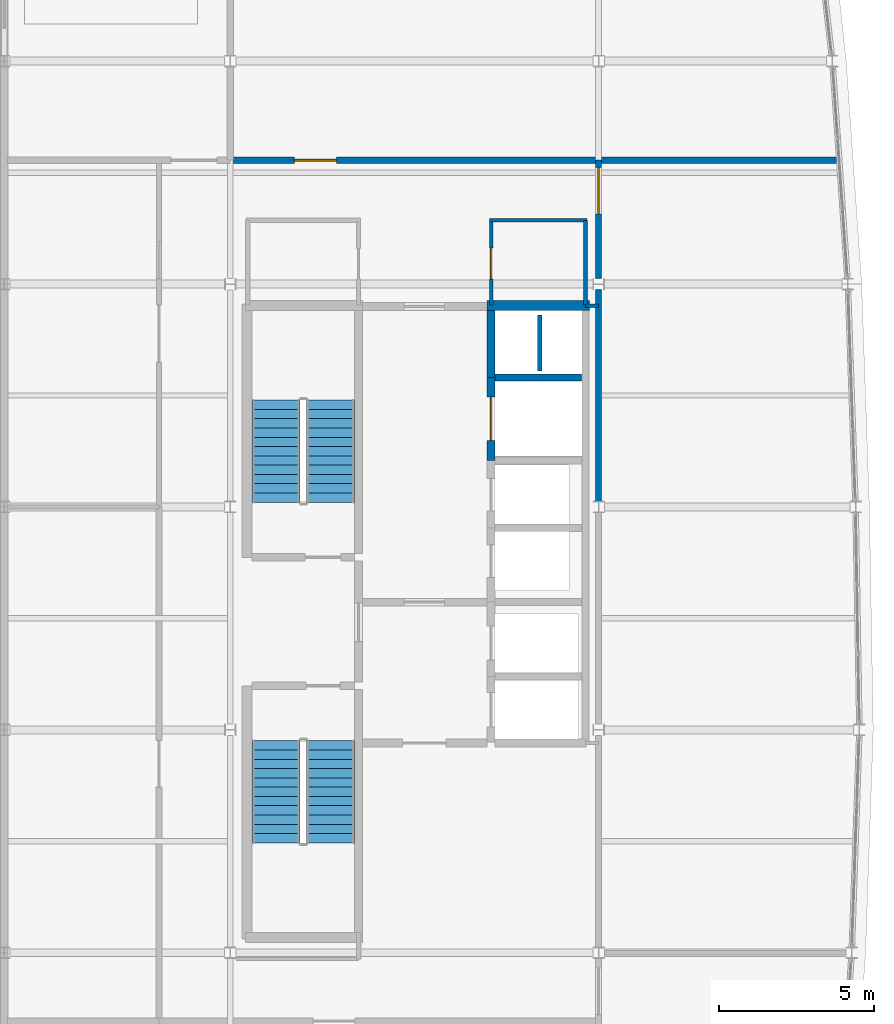
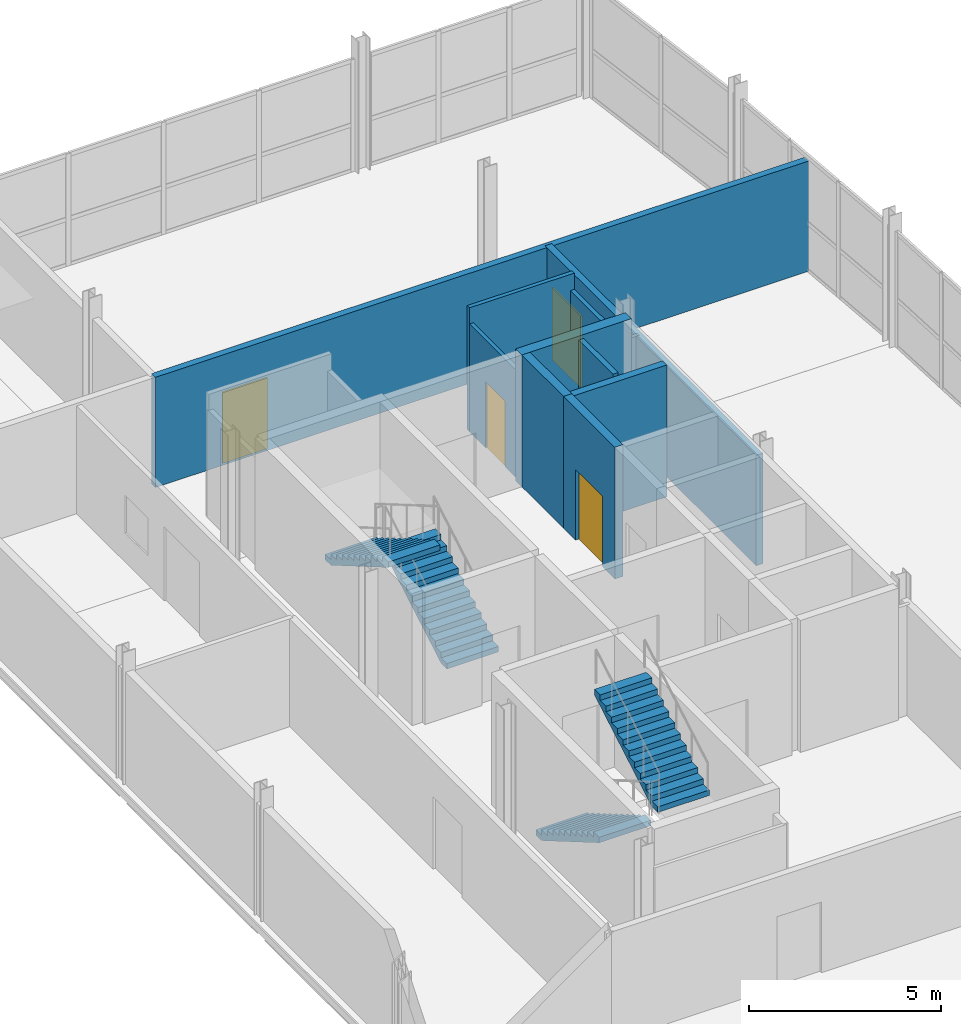
# One storey, part 17 of 20: 12 walls, 4 doors, 4 stair flights, 4 openings, 2 elements without a shape of their own.
"""IFC4 building model written with IfcOpenShell, lengths in metres."""

from ifc_helpers import new_model, si_unit, direction, frame, frame_2d, origin, place, context, subcontext, project, spatial, polyline, rectangle, outline, extrude, material, layer, layer_set, type_object, element, fill, aggregate, save


model = new_model("IFC4")

# Units and contexts
model_context = context("Model", 3, precision=1e-05, world=origin(), true_north=direction((0.0, 1.0)))
body_context = subcontext(model_context, "Body", "Model", "MODEL_VIEW")
ifc_project = project(units=[si_unit("LENGTHUNIT", "METRE"), si_unit("AREAUNIT", "SQUARE_METRE"), si_unit("VOLUMEUNIT", "CUBIC_METRE"), si_unit("PLANEANGLEUNIT", "RADIAN"), si_unit("MASSUNIT", "GRAM", prefix="KILO")], contexts=[model_context])

# Site, building, storey
site_placement = place(None, origin())
site = spatial("IfcSite", under=ifc_project, at=site_placement, CompositionType="ELEMENT")
building_placement = place(site_placement, origin())
building = spatial("IfcBuilding", under=site, at=building_placement, Name="Quillay Park Conservatory", CompositionType="ELEMENT")
storey_placement = place(building_placement, frame((0.0, 0.0, 30.89990234375)))
storey = spatial("IfcBuildingStorey", under=building, at=storey_placement, Name="L07", CompositionType="ELEMENT", Elevation=30.89990234375)

# Wall
ifc_material_1 = material(Name="Steel-Stud Acoustic Gypsum Board Partition", Category="steel")
ifc_layer_1 = layer(ifc_material_1, 0.110107421875)
ifc_layer_set_1 = layer_set([ifc_layer_1], Name="ACOUSTIC GYPSUM PARTITION 110 (Steel-Stud Acoustic Gypsum Board Partition)")
wall_type_1 = type_object("IfcWallType", Name="ACOUSTIC GYPSUM PARTITION 110", PredefinedType="PARTITIONING", material=ifc_layer_set_1)
wall_1_placement = place(storey_placement, frame((19.75, 98.89990234375, 0.0), z_axis=(0.0, 0.0, 1.0), x_axis=(-1.0, 0.0, 0.0)))
element("IfcWall", 1, at=wall_1_placement, inside=storey, type_object=wall_type_1, Name="L07 Core North-East Closure", PredefinedType="PARTITIONING", context=body_context, shape_type="SweptSolid", body=[
    extrude(rectangle(XDim=0.429931640625, YDim=0.110107421875, at=frame_2d((0.21484375, 0.0))), origin(), (0.0, 0.0, 1.0), 3.51220703125),
])

# Wall, opening, door
ifc_material_2 = material(Name="Steel-Stud Acoustic Gypsum Board Partition", Category="steel")
ifc_layer_2 = layer(ifc_material_2, 0.114990234375)
ifc_layer_set_2 = layer_set([ifc_layer_2], Name="ACOUSTIC GYPSUM PARTITION 115 (Steel-Stud Acoustic Gypsum Board Partition)")
wall_type_2 = type_object("IfcWallType", Name="ACOUSTIC GYPSUM PARTITION 115", PredefinedType="PARTITIONING", material=ifc_layer_set_2)
wall_2_placement = place(storey_placement, frame((16.280029296875, 98.919921875, 0.0), z_axis=(0.0, 0.0, 1.0), x_axis=(0.0, 1.0, 0.0)))
wall_2 = element("IfcWall", 2, at=wall_2_placement, inside=storey, type_object=wall_type_2, Name="L07 Washroom Door Wall", PredefinedType="PARTITIONING", context=body_context, shape_type="SweptSolid", body=[
    extrude(rectangle(XDim=2.68017578125, YDim=0.114990234375, at=frame_2d((1.340087890625, 0.0))), origin(), (0.0, 0.0, 1.0), 3.43603515625),
])
opening_1_placement = place(wall_2_placement, frame((0.840087890625, 0.0, 0.0)))
opening_1 = element("IfcOpeningElement", 3, at=opening_1_placement, cuts=wall_2, Name="Opening D-RM04", PredefinedType="OPENING", context=body_context, shape_type="SweptSolid", body=[
    extrude(rectangle(XDim=1.0, YDim=2.10009765625, at=frame_2d((0.5, 1.050048828125))), frame((0.0, 0.0576171875, 0.0), z_axis=(0.0, -1.0, 0.0), x_axis=(1.0, 0.0, 0.0)), (0.0, 0.0, 1.0), 0.114990234375),
])
ifc_material_3 = material(Name="Thermally Broken Anodised Aluminium 6063-T6", Category="aluminium")
door_type_1 = type_object("IfcDoorType", Name="SINGLE SWING DOOR 1000 X2100", OperationType="NOTDEFINED", PredefinedType="DOOR", material=ifc_material_3)
door_1_placement = place(opening_1_placement, origin())
door_1 = element("IfcDoor", 4, at=door_1_placement, inside=storey, type_object=door_type_1, Name="L07 Door to L07 Restroom and Washroom", OperationType="SINGLE_SWING_RIGHT", OverallHeight=2.10009765625, OverallWidth=1.0, PredefinedType="DOOR", context=body_context, shape_type="SweptSolid", body=[
    extrude(rectangle(XDim=1.0, YDim=2.10009765625, at=frame_2d((0.5, 1.050048828125))), frame((0.0, 0.02490234375, 0.0), z_axis=(0.0, -1.0, 0.0), x_axis=(1.0, 0.0, 0.0)), (0.0, 0.0, 1.0), 0.050048828125),
])
fill(opening_1, door_1)

# Walls
ifc_material_4 = material(Name="Steel-Stud Acoustic Gypsum Board Partition", Category="steel")
ifc_layer_3 = layer(ifc_material_4, 0.1201171875)
ifc_layer_set_3 = layer_set([ifc_layer_3], Name="ACOUSTIC GYPSUM PARTITION 120 (Steel-Stud Acoustic Gypsum Board Partition)")
wall_type_3 = type_object("IfcWallType", Name="ACOUSTIC GYPSUM PARTITION 120", PredefinedType="PARTITIONING", material=ifc_layer_set_3)
wall_3_placement = place(storey_placement, frame((19.3798828125, 101.659912109375, 0.0), z_axis=(0.0, 0.0, 1.0), x_axis=(-1.0, 0.0, 0.0)))
element("IfcWall", 5, at=wall_3_placement, inside=storey, type_object=wall_type_3, Name="L07 Washroom North Wall", PredefinedType="PARTITIONING", context=body_context, shape_type="SweptSolid", body=[
    extrude(rectangle(XDim=3.159912109375, YDim=0.1201171875, at=frame_2d((1.580078125, 0.0))), origin(), (0.0, 0.0, 1.0), 3.9501953125),
])
ifc_material_5 = material(Name="Steel-Stud Acoustic Gypsum Board Partition", Category="steel")
ifc_layer_4 = layer(ifc_material_5, 0.125)
ifc_layer_set_4 = layer_set([ifc_layer_4], Name="ACOUSTIC GYPSUM PARTITION 125 (Steel-Stud Acoustic Gypsum Board Partition)")
wall_type_4 = type_object("IfcWallType", Name="ACOUSTIC GYPSUM PARTITION 125", PredefinedType="PARTITIONING", material=ifc_layer_set_4)
wall_4_placement = place(storey_placement, frame((19.320068359375, 98.919921875, 0.0), z_axis=(0.0, 0.0, 1.0), x_axis=(0.0, 1.0, 0.0)))
element("IfcWall", 6, at=wall_4_placement, inside=storey, type_object=wall_type_4, Name="L07 Washroom East Wall", PredefinedType="PARTITIONING", context=body_context, shape_type="SweptSolid", body=[
    extrude(rectangle(XDim=2.739990234375, YDim=0.125, at=frame_2d((1.3701171875, 0.0))), origin(), (0.0, 0.0, 1.0), 3.43603515625),
])
ifc_material_6 = material(Name="Concrete C35/45 (NCh170 Concrete C35/45)", Category="concrete")
ifc_layer_5 = layer(ifc_material_6, 0.22509765625)
ifc_layer_set_5 = layer_set([ifc_layer_5], Name="CORE SHEAR WALL 225 (Concrete C35/45 (NCh170 Concrete C35/45))")
wall_type_5 = type_object("IfcWallType", Name="CORE SHEAR WALL 225", PredefinedType="SHEAR", material=ifc_layer_set_5)
wall_5_placement = place(storey_placement, frame((16.39990234375, 96.574951171875, 0.0), z_axis=(0.0, 0.0, 1.0), x_axis=(1.0, 0.0, 0.0)))
element("IfcWall", 7, at=wall_5_placement, inside=storey, type_object=wall_type_5, Name="L07 Core Shear Wall WL-LFDIV-L07-965", PredefinedType="SHEAR", context=body_context, shape_type="SweptSolid", body=[
    extrude(rectangle(XDim=2.800048828125, YDim=0.22509765625, at=frame_2d((1.39990234375, 0.0))), origin(), (0.0, 0.0, 1.0), 4.2001953125),
])

# Wall, opening, door
ifc_material_7 = material(Name="Concrete C40/50 (NCh170 Concrete C40/50)", Category="concrete")
ifc_layer_6 = layer(ifc_material_7, 0.25)
ifc_layer_set_6 = layer_set([ifc_layer_6], Name="CORE SHEAR WALL 250 (Concrete C40/50 (NCh170 Concrete C40/50))")
wall_type_6 = type_object("IfcWallType", Name="CORE SHEAR WALL 250", PredefinedType="SHEAR", material=ifc_layer_set_6)
wall_6_placement = place(storey_placement, frame((16.27490234375, 93.89990234375, 0.0), z_axis=(0.0, 0.0, 1.0), x_axis=(0.0, 1.0, 0.0)))
wall_6 = element("IfcWall", 8, at=wall_6_placement, inside=storey, type_object=wall_type_6, Name="L07 Core Shear Wall WL-LFFR-L07-LF-G1", PredefinedType="SHEAR", context=body_context, shape_type="SweptSolid", body=[
    extrude(rectangle(XDim=2.675048828125, YDim=0.25, at=frame_2d((1.33740234375, 0.0))), origin(), (0.0, 0.0, 1.0), 4.2001953125),
])
opening_2_placement = place(wall_6_placement, frame((0.64990234375, 0.0, 0.0)))
opening_2 = element("IfcOpeningElement", 9, at=opening_2_placement, cuts=wall_6, Name="Opening LD03", PredefinedType="OPENING", context=body_context, shape_type="SweptSolid", body=[
    extrude(rectangle(XDim=1.39990234375, YDim=2.25, at=frame_2d((0.699951171875, 1.125))), frame((0.0, 0.125, 0.0), z_axis=(0.0, -1.0, 0.0), x_axis=(1.0, 0.0, 0.0)), (0.0, 0.0, 1.0), 0.25),
])
ifc_material_8 = material(Name="Steel ASTM A572 Grade 50", Category="steel")
door_type_2 = type_object("IfcDoorType", Name="LIFT LANDING SLIDING DOOR 1400 X2250", OperationType="NOTDEFINED", PredefinedType="DOOR", material=ifc_material_8)
door_2_placement = place(opening_2_placement, origin())
door_2 = element("IfcDoor", 10, at=door_2_placement, inside=storey, type_object=door_type_2, Name="L07 LF-G1 Lift Landing Door LD03", OperationType="SLIDING_TO_LEFT", OverallHeight=2.25, OverallWidth=1.39990234375, PredefinedType="DOOR", context=body_context, shape_type="SweptSolid", body=[
    extrude(rectangle(XDim=1.39990234375, YDim=2.25, at=frame_2d((0.699951171875, 1.125))), frame((0.0, 0.02490234375, 0.0), z_axis=(0.0, -1.0, 0.0), x_axis=(1.0, 0.0, 0.0)), (0.0, 0.0, 1.0), 0.050048828125),
])
fill(opening_2, door_2)

# Walls
wall_7_placement = place(storey_placement, frame((16.27490234375, 96.574951171875, 0.0), z_axis=(0.0, 0.0, 1.0), x_axis=(0.0, 1.0, 0.0)))
element("IfcWall", 11, at=wall_7_placement, inside=storey, type_object=wall_type_6, Name="L07 Core Shear Wall WL-MEPR-L07", PredefinedType="SHEAR", context=body_context, shape_type="SweptSolid", body=[
    extrude(rectangle(XDim=2.175048828125, YDim=0.25, at=frame_2d((1.08740234375, 0.0))), origin(), (0.0, 0.0, 1.0), 4.2001953125),
])
ifc_material_9 = material(Name="Concrete C40/50 (NCh170 Concrete C40/50)", Category="concrete")
ifc_layer_7 = layer(ifc_material_9, 0.320068359375)
ifc_layer_set_7 = layer_set([ifc_layer_7], Name="CORE SHEAR WALL 320 (Concrete C40/50 (NCh170 Concrete C40/50))")
wall_type_7 = type_object("IfcWallType", Name="CORE SHEAR WALL 320", PredefinedType="SHEAR", material=ifc_layer_set_7)
wall_8_placement = place(storey_placement, frame((16.14990234375, 98.909912109375, 0.0), z_axis=(0.0, 0.0, 1.0), x_axis=(1.0, 0.0, 0.0)))
element("IfcWall", 12, at=wall_8_placement, inside=storey, type_object=wall_type_7, Name="L07 Core Shear Wall WL-TCN-E-L07", PredefinedType="SHEAR", context=body_context, shape_type="SweptSolid", body=[
    extrude(rectangle(XDim=3.300048828125, YDim=0.320068359375, at=frame_2d((1.64990234375, 0.0))), origin(), (0.0, 0.0, 1.0), 4.2001953125),
])
ifc_material_10 = material(Name="Steel-Stud Acoustic Gypsum Board Partition", Category="steel")
ifc_layer_8 = layer(ifc_material_10, 0.155029296875)
ifc_layer_set_8 = layer_set([ifc_layer_8], Name="PLUMBING SHAFT WALL 155 (Steel-Stud Acoustic Gypsum Board Partition)")
wall_type_8 = type_object("IfcWallType", Name="PLUMBING SHAFT WALL 155", PredefinedType="PLUMBINGWALL", material=ifc_layer_set_8)
wall_9_placement = place(storey_placement, frame((17.85009765625, 96.800048828125, 0.0), z_axis=(0.0, 0.0, 1.0), x_axis=(0.0, 1.0, 0.0)))
element("IfcWall", 13, at=wall_9_placement, inside=storey, type_object=wall_type_8, Name="L07 Plumbing Riser Wall", PredefinedType="PLUMBINGWALL", context=body_context, shape_type="SweptSolid", body=[
    extrude(rectangle(XDim=1.800048828125, YDim=0.155029296875, at=frame_2d((0.89990234375, 0.0))), origin(), (0.0, 0.0, 1.0), 4.2001953125),
])

# Wall, opening, door
ifc_material_11 = material(Name="Concrete C35/45 (NCh170 Concrete C35/45)", Category="concrete")
ifc_layer_9 = layer(ifc_material_11, 0.199951171875)
ifc_layer_set_9 = layer_set([ifc_layer_9], Name="SOLID VAULT WALL 200 (Concrete C35/45 (NCh170 Concrete C35/45))")
wall_type_9 = type_object("IfcWallType", Name="SOLID VAULT WALL 200", PredefinedType="SOLIDWALL", material=ifc_layer_set_9)
wall_10_placement = place(storey_placement, frame((7.85009765625, 103.60009765625, 0.0), z_axis=(0.0, 0.0, 1.0), x_axis=(1.0, 0.0, 0.0)))
wall_10 = element("IfcWall", 14, at=wall_10_placement, inside=storey, type_object=wall_type_9, Name="L07 L07 Herbarium Compact Shelving Vault North South Wall", PredefinedType="SOLIDWALL", context=body_context, shape_type="SweptSolid", body=[
    extrude(rectangle(XDim=19.68994140625, YDim=0.199951171875, at=frame_2d((9.844970703125, 0.0))), origin(), (0.0, 0.0, 1.0), 3.51220703125),
])
opening_3_placement = place(wall_10_placement, frame((2.074951171875, 0.0, 0.0)))
opening_3 = element("IfcOpeningElement", 15, at=opening_3_placement, cuts=wall_10, Name="Opening D-HB01", PredefinedType="OPENING", context=body_context, shape_type="SweptSolid", body=[
    extrude(rectangle(XDim=1.35009765625, YDim=2.25, at=frame_2d((0.675048828125, 1.125))), frame((0.0, 0.10009765625, 0.0), z_axis=(0.0, -1.0, 0.0), x_axis=(1.0, 0.0, 0.0)), (0.0, 0.0, 1.0), 0.199951171875),
])
ifc_material_12 = material(Name="Steel ASTM A572 Grade 50", Category="steel")
door_type_3 = type_object("IfcDoorType", Name="FIRE RATED VAULT DOOR 1350 X2250", OperationType="NOTDEFINED", PredefinedType="DOOR", material=ifc_material_12)
door_3_placement = place(opening_3_placement, origin())
door_3 = element("IfcDoor", 16, at=door_3_placement, inside=storey, type_object=door_type_3, Name="L07 Door to L07 Herbarium Compact Shelving Vault North", OperationType="SINGLE_SWING_LEFT", OverallHeight=2.25, OverallWidth=1.35009765625, PredefinedType="DOOR", context=body_context, shape_type="SweptSolid", body=[
    extrude(rectangle(XDim=1.35009765625, YDim=2.25, at=frame_2d((0.675048828125, 1.125))), frame((0.0, 0.02490234375, 0.0), z_axis=(0.0, -1.0, 0.0), x_axis=(1.0, 0.0, 0.0)), (0.0, 0.0, 1.0), 0.050048828125),
])
fill(opening_3, door_3)

# Wall
wall_11_placement = place(storey_placement, frame((19.75, 92.5810546875, 0.0), z_axis=(0.0, 0.0, 1.0), x_axis=(0.0, 1.0, 0.0)))
element("IfcWall", 17, at=wall_11_placement, inside=storey, type_object=wall_type_9, Name="L07 L07 Historical Type Specimen Safe Room West Wall 3", PredefinedType="SOLIDWALL", context=body_context, shape_type="SweptSolid", body=[
    extrude(rectangle(XDim=6.8369140625, YDim=0.199951171875, at=frame_2d((3.41845703125, 0.0))), origin(), (0.0, 0.0, 1.0), 3.51220703125),
])

# Wall, opening, door
wall_12_placement = place(storey_placement, frame((19.75, 99.781982421875, 0.0), z_axis=(0.0, 0.0, 1.0), x_axis=(0.0, 1.0, 0.0)))
wall_12 = element("IfcWall", 18, at=wall_12_placement, inside=storey, type_object=wall_type_9, Name="L07 L07 Historical Type Specimen Safe Room West Wall 4", PredefinedType="SOLIDWALL", context=body_context, shape_type="SweptSolid", body=[
    extrude(rectangle(XDim=3.818115234375, YDim=0.199951171875, at=frame_2d((1.9091796875, 0.0))), origin(), (0.0, 0.0, 1.0), 3.51220703125),
])
opening_4_placement = place(wall_12_placement, frame((2.087890625, 0.0, 0.0)))
opening_4 = element("IfcOpeningElement", 19, at=opening_4_placement, cuts=wall_12, Name="Opening D-HB02", PredefinedType="OPENING", context=body_context, shape_type="SweptSolid", body=[
    extrude(rectangle(XDim=1.5, YDim=2.300048828125, at=frame_2d((0.75, 1.14990234375))), frame((0.0, 0.10009765625, 0.0), z_axis=(0.0, -1.0, 0.0), x_axis=(1.0, 0.0, 0.0)), (0.0, 0.0, 1.0), 0.199951171875),
])
ifc_material_13 = material(Name="Steel ASTM A572 Grade 50", Category="steel")
door_type_4 = type_object("IfcDoorType", Name="FIRE RATED VAULT DOOR 1500 X2300", OperationType="NOTDEFINED", PredefinedType="DOOR", material=ifc_material_13)
door_4_placement = place(opening_4_placement, origin())
door_4 = element("IfcDoor", 20, at=door_4_placement, inside=storey, type_object=door_type_4, Name="L07 Door to L07 Historical Type Specimen Safe Room", OperationType="SINGLE_SWING_RIGHT", OverallHeight=2.300048828125, OverallWidth=1.5, PredefinedType="DOOR", context=body_context, shape_type="SweptSolid", body=[
    extrude(rectangle(XDim=1.5, YDim=2.300048828125, at=frame_2d((0.75, 1.14990234375))), frame((0.0, 0.02490234375, 0.0), z_axis=(0.0, -1.0, 0.0), x_axis=(1.0, 0.0, 0.0)), (0.0, 0.0, 1.0), 0.050048828125),
])
fill(opening_4, door_4)

# Stair, stair flights
ifc_material_14 = material(Name="Concrete C35/45 (NCh170 Concrete C35/45)", Category="concrete")
stair_type = type_object("IfcStairType", Name="ENCLOSED DOG LEG STAIR 4200", PredefinedType="HALF_TURN_STAIR", material=ifc_material_14)
stair_1_placement = place(storey_placement, origin())
stair_1 = element("IfcStair", 21, at=stair_1_placement, inside=storey, type_object=stair_type, Name="L07 Tower Protected Exit Stair 1", PredefinedType="HALF_TURN_STAIR")
ifc_material_15 = material(Name="Concrete C35/45 (NCh170 Concrete C35/45)", Category="concrete")
stair_flight_type = type_object("IfcStairFlightType", Name="STRAIGHT STAIR FLIGHT 4200", PredefinedType="STRAIGHT", material=ifc_material_15)
stair_flight_1_placement = place(storey_placement, frame((11.090087890625, 92.550048828125, 0.0), z_axis=(0.0, 0.0, 1.0), x_axis=(0.0, 1.0, 0.0)))
stair_flight_1 = element("IfcStairFlight", 22, at=stair_flight_1_placement, type_object=stair_flight_type, Name="ST-T1 flight 1", NumberOfRisers=12, NumberOfTreads=11, PredefinedType="STRAIGHT", RiserHeight=0.175, TreadLength=0.3, context=body_context, shape_type="SweptSolid", body=[
    extrude(outline(polyline([(0.0, 0.0), (0.0, 0.175048828125), (0.300048828125, 0.175048828125), (0.300048828125, 0.35009765625), (0.60009765625, 0.35009765625), (0.60009765625, 0.52490234375), (0.89990234375, 0.52490234375), (0.89990234375, 0.699951171875), (1.199951171875, 0.699951171875), (1.199951171875, 0.875), (1.5, 0.875), (1.5, 1.050048828125), (1.800048828125, 1.050048828125), (1.800048828125, 1.22509765625), (2.10009765625, 1.22509765625), (2.10009765625, 1.39990234375), (2.39990234375, 1.39990234375), (2.39990234375, 1.574951171875), (2.699951171875, 1.574951171875), (2.699951171875, 1.75), (3.0, 1.75), (3.0, 1.925048828125), (3.300048828125, 1.925048828125), (3.300048828125, 2.10009765625), (3.300048828125, 1.75146484375), (0.297607421875, 0.0), (0.0, 0.0)])), frame((0.0, 0.780029296875, 0.0), z_axis=(0.0, -1.0, 0.0), x_axis=(1.0, 0.0, 0.0)), (0.0, 0.0, 1.0), 1.56005859375),
])
stair_flight_2_placement = place(storey_placement, frame((9.330078125, 95.85009765625, 2.10009765625), z_axis=(0.0, 0.0, 1.0), x_axis=(0.0, -1.0, 0.0)))
stair_flight_2 = element("IfcStairFlight", 23, at=stair_flight_2_placement, type_object=stair_flight_type, Name="ST-T1 flight 2", NumberOfRisers=12, NumberOfTreads=11, PredefinedType="STRAIGHT", RiserHeight=0.175, TreadLength=0.3, context=body_context, shape_type="SweptSolid", body=[
    extrude(outline(polyline([(0.0, 0.0), (0.0, 0.175048828125), (0.300048828125, 0.175048828125), (0.300048828125, 0.35009765625), (0.60009765625, 0.35009765625), (0.60009765625, 0.52490234375), (0.89990234375, 0.52490234375), (0.89990234375, 0.699951171875), (1.199951171875, 0.699951171875), (1.199951171875, 0.875), (1.5, 0.875), (1.5, 1.050048828125), (1.800048828125, 1.050048828125), (1.800048828125, 1.22509765625), (2.10009765625, 1.22509765625), (2.10009765625, 1.39990234375), (2.39990234375, 1.39990234375), (2.39990234375, 1.574951171875), (2.699951171875, 1.574951171875), (2.699951171875, 1.75), (3.0, 1.75), (3.0, 1.925048828125), (3.300048828125, 1.925048828125), (3.300048828125, 2.10009765625), (3.300048828125, 1.75146484375), (0.297607421875, 0.0), (0.0, 0.0)])), frame((0.0, 0.780029296875, 0.0), z_axis=(0.0, -1.0, 0.0), x_axis=(1.0, 0.0, 0.0)), (0.0, 0.0, 1.0), 1.56005859375),
])
aggregate(stair_1, [stair_flight_1, stair_flight_2])

stair_2_placement = place(storey_placement, origin())
stair_2 = element("IfcStair", 24, at=stair_2_placement, inside=storey, type_object=stair_type, Name="L07 Tower Protected Exit Stair 2", PredefinedType="HALF_TURN_STAIR")
stair_flight_3_placement = place(storey_placement, frame((9.330078125, 84.85009765625, 0.0), z_axis=(0.0, 0.0, 1.0), x_axis=(0.0, -1.0, 0.0)))
stair_flight_3 = element("IfcStairFlight", 25, at=stair_flight_3_placement, type_object=stair_flight_type, Name="ST-T2 flight 1", NumberOfRisers=12, NumberOfTreads=11, PredefinedType="STRAIGHT", RiserHeight=0.175, TreadLength=0.3, context=body_context, shape_type="SweptSolid", body=[
    extrude(outline(polyline([(0.0, 0.0), (0.0, 0.175048828125), (0.300048828125, 0.175048828125), (0.300048828125, 0.35009765625), (0.60009765625, 0.35009765625), (0.60009765625, 0.52490234375), (0.89990234375, 0.52490234375), (0.89990234375, 0.699951171875), (1.199951171875, 0.699951171875), (1.199951171875, 0.875), (1.5, 0.875), (1.5, 1.050048828125), (1.800048828125, 1.050048828125), (1.800048828125, 1.22509765625), (2.10009765625, 1.22509765625), (2.10009765625, 1.39990234375), (2.39990234375, 1.39990234375), (2.39990234375, 1.574951171875), (2.699951171875, 1.574951171875), (2.699951171875, 1.75), (3.0, 1.75), (3.0, 1.925048828125), (3.300048828125, 1.925048828125), (3.300048828125, 2.10009765625), (3.300048828125, 1.75146484375), (0.297607421875, 0.0), (0.0, 0.0)])), frame((0.0, 0.780029296875, 0.0), z_axis=(0.0, -1.0, 0.0), x_axis=(1.0, 0.0, 0.0)), (0.0, 0.0, 1.0), 1.56005859375),
])
stair_flight_4_placement = place(storey_placement, frame((11.090087890625, 81.550048828125, 2.10009765625), z_axis=(0.0, 0.0, 1.0), x_axis=(0.0, 1.0, 0.0)))
stair_flight_4 = element("IfcStairFlight", 26, at=stair_flight_4_placement, type_object=stair_flight_type, Name="ST-T2 flight 2", NumberOfRisers=12, NumberOfTreads=11, PredefinedType="STRAIGHT", RiserHeight=0.175, TreadLength=0.3, context=body_context, shape_type="SweptSolid", body=[
    extrude(outline(polyline([(0.0, 0.0), (0.0, 0.175048828125), (0.300048828125, 0.175048828125), (0.300048828125, 0.35009765625), (0.60009765625, 0.35009765625), (0.60009765625, 0.52490234375), (0.89990234375, 0.52490234375), (0.89990234375, 0.699951171875), (1.199951171875, 0.699951171875), (1.199951171875, 0.875), (1.5, 0.875), (1.5, 1.050048828125), (1.800048828125, 1.050048828125), (1.800048828125, 1.22509765625), (2.10009765625, 1.22509765625), (2.10009765625, 1.39990234375), (2.39990234375, 1.39990234375), (2.39990234375, 1.574951171875), (2.699951171875, 1.574951171875), (2.699951171875, 1.75), (3.0, 1.75), (3.0, 1.925048828125), (3.300048828125, 1.925048828125), (3.300048828125, 2.10009765625), (3.300048828125, 1.75146484375), (0.297607421875, 0.0), (0.0, 0.0)])), frame((0.0, 0.780029296875, 0.0), z_axis=(0.0, -1.0, 0.0), x_axis=(1.0, 0.0, 0.0)), (0.0, 0.0, 1.0), 1.56005859375),
])
aggregate(stair_2, [stair_flight_3, stair_flight_4])

save(model, "model.ifc")
